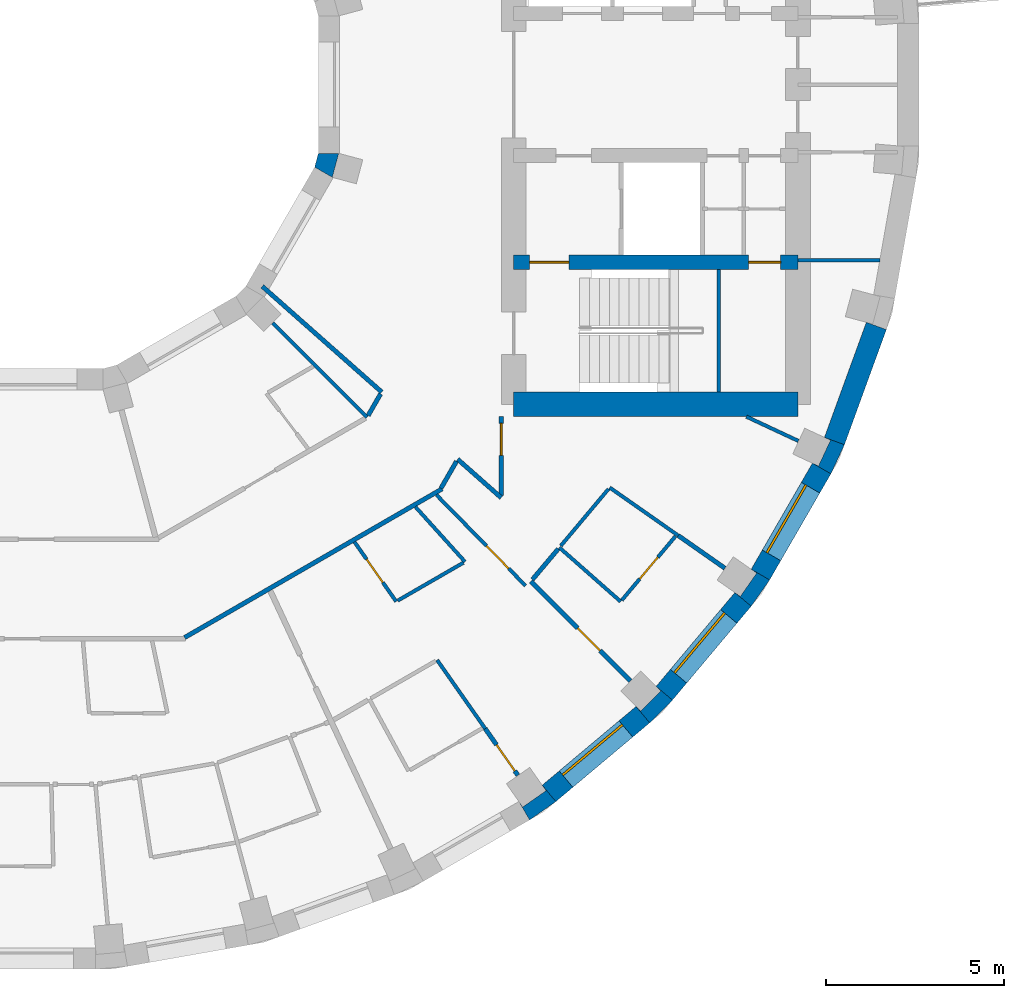
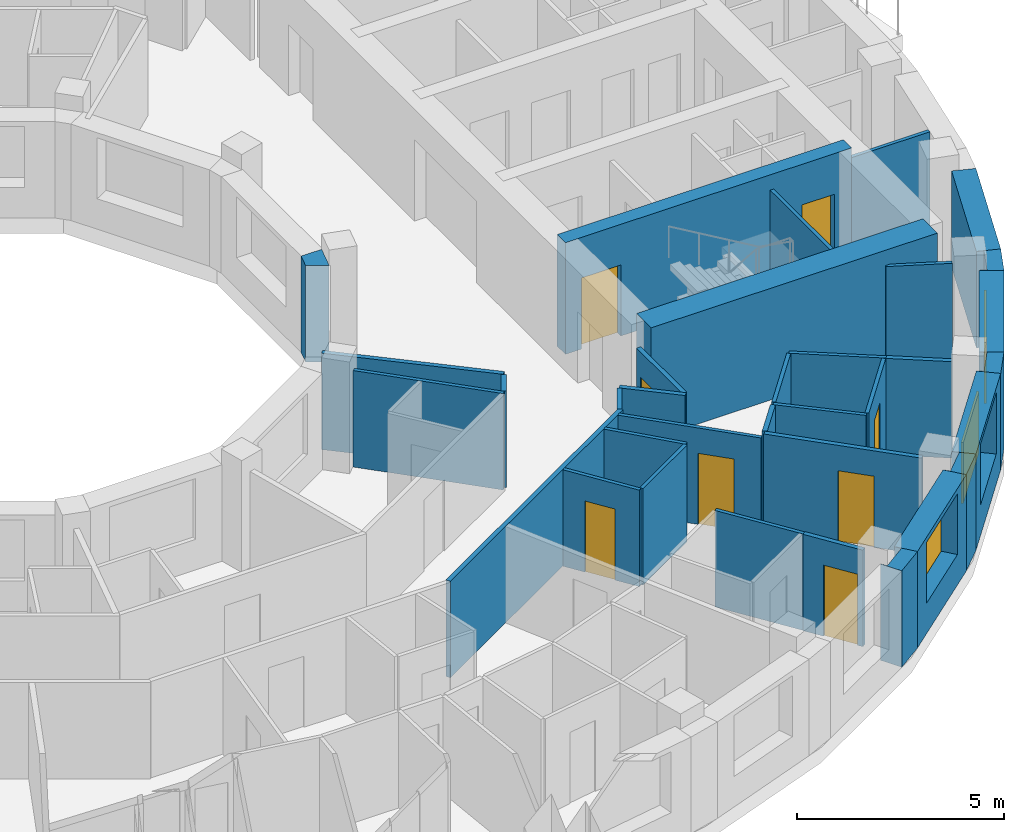
# One storey, part 8 of 15: 34 walls, 8 doors, 3 windows, 11 openings.
"""IFC4 building model written with IfcOpenShell, lengths in metres."""

import ifcopenshell
import ifcopenshell.guid

model = None  # the IFC model being written
_history = None  # IfcOwnerHistory: only IFC2X3 demands one
_inside = {}  # id of a spatial element -> (the spatial element, [elements in it])
_under = {}  # id of a project, library or spatial element -> (it, [spatial elements below it])
_declared = {}  # id of a project -> (the project, [libraries it declares])
_typed = {}  # id of a type object -> (the type object, [elements of that type])
_made_of = {}  # id of a material, layer set ... -> (it, [elements and type objects made of it])


def new_model(schema):
    """Start an empty IFC model of exactly this schema.

    Asked for "IFC4X3", IfcOpenShell would pick the latest addendum, in which some entities
    have other attributes; the version numbers below select the first issue.
    IFC2X3 requires an IfcOwnerHistory on every rooted entity: one is made here for all.
    """
    global model, _history
    if schema == "IFC4X3":
        model = ifcopenshell.file(schema_version=(4, 3, 0, 0))
    else:
        model = ifcopenshell.file(schema=schema)
    _inside.clear()
    _under.clear()
    _declared.clear()
    _typed.clear()
    _made_of.clear()
    _history = None
    if model.schema == "IFC2X3":
        org = make("IfcOrganization", Name="unknown")
        user = make(
            "IfcPersonAndOrganization",
            ThePerson=make("IfcPerson", FamilyName="unknown"),
            TheOrganization=org,
        )
        app = make(
            "IfcApplication",
            ApplicationDeveloper=org,
            Version="unknown",
            ApplicationFullName="unknown",
            ApplicationIdentifier="unknown",
        )
        _history = make(
            "IfcOwnerHistory",
            OwningUser=user,
            OwningApplication=app,
            ChangeAction="ADDED",
            CreationDate=0,
        )
    return model


def make(cls, **values):
    """One entity of the class cls with the attributes given. An attribute that is None is left unset."""
    return model.create_entity(
        cls, **{name: value for name, value in values.items() if value is not None}
    )


def rooted(cls, **values):
    """An entity with a GlobalId (a new one), such as an element, a storey or a relation."""
    return make(cls, GlobalId=ifcopenshell.guid.new(), OwnerHistory=_history, **values)


def si_unit(unit_type, name, prefix=None):
    """IfcSIUnit, for example si_unit("LENGTHUNIT", "METRE", prefix="MILLI")."""
    return make("IfcSIUnit", UnitType=unit_type, Prefix=prefix, Name=name)


def assignment(units):
    """IfcUnitAssignment: the units of a project."""
    return None if units is None else make("IfcUnitAssignment", Units=units)


def point(xyz):
    """IfcCartesianPoint."""
    return None if xyz is None else make("IfcCartesianPoint", Coordinates=xyz)


def direction(xyz):
    """IfcDirection."""
    return None if xyz is None else make("IfcDirection", DirectionRatios=xyz)


def frame(location, z_axis=None, x_axis=None):
    """IfcAxis2Placement3D, a coordinate frame: its origin and axes. An axis left out is left unset."""
    return make(
        "IfcAxis2Placement3D",
        Location=point(location),
        Axis=direction(z_axis),
        RefDirection=direction(x_axis),
    )


def frame_2d(location, x_axis=None):
    """IfcAxis2Placement2D, a coordinate frame in the plane: its origin and x axis."""
    return make(
        "IfcAxis2Placement2D", Location=point(location), RefDirection=direction(x_axis)
    )


def origin():
    """The frame at (0, 0, 0) with its axes left unset."""
    return frame((0.0, 0.0, 0.0))


def place(relative_to, where):
    """IfcLocalPlacement: puts the frame where relative to a parent placement (None: the world)."""
    return make(
        "IfcLocalPlacement", PlacementRelTo=relative_to, RelativePlacement=where
    )


def context(
    kind, dimensions, precision=None, world=None, true_north=None, identifier=None
):
    """IfcGeometricRepresentationContext, for example the 3D "Model" context."""
    return make(
        "IfcGeometricRepresentationContext",
        ContextIdentifier=identifier,
        ContextType=kind,
        CoordinateSpaceDimension=dimensions,
        Precision=precision,
        WorldCoordinateSystem=world,
        TrueNorth=true_north,
    )


def subcontext(parent, identifier, kind, view, scale=None):
    """IfcGeometricRepresentationSubContext, for example "Body" below "Model"."""
    return make(
        "IfcGeometricRepresentationSubContext",
        ContextIdentifier=identifier,
        ContextType=kind,
        ParentContext=parent,
        TargetScale=scale,
        TargetView=view,
    )


def project(units=None, contexts=None):
    """IfcProject with its units and contexts."""
    return rooted(
        "IfcProject",
        Name="project",
        RepresentationContexts=contexts,
        UnitsInContext=assignment(units),
    )


def spatial(cls, under=None, at=None, **own):
    """A site, building, storey or space (cls), placed at a placement, below another one or the project."""
    s = rooted(cls, ObjectPlacement=at, **own)
    if under is not None:
        _under.setdefault(under.id(), (under, []))[1].append(s)
    return s


def polyline(points):
    """IfcPolyline through the points."""
    return make("IfcPolyline", Points=[point(p) for p in points])


def profile(cls, at=None, kind="AREA", **sizes):
    """A parametric profile (cls). Its sizes go by their IFC names, for example OverallWidth=200.0."""
    return make(cls, ProfileType=kind, Position=at, **sizes)


def rectangle(**sizes):
    """IfcRectangleProfileDef."""
    return profile("IfcRectangleProfileDef", **sizes)


def outline(outer, holes=None, kind="AREA"):
    """IfcArbitraryClosedProfileDef: a profile drawn as a closed curve; with holes, ...WithVoids."""
    if holes is None:
        return make("IfcArbitraryClosedProfileDef", ProfileType=kind, OuterCurve=outer)
    return make(
        "IfcArbitraryProfileDefWithVoids",
        ProfileType=kind,
        OuterCurve=outer,
        InnerCurves=holes,
    )


def extrude(swept, where, along, depth):
    """IfcExtrudedAreaSolid: the profile swept, set in the frame where, extruded along a direction by depth."""
    return make(
        "IfcExtrudedAreaSolid",
        SweptArea=swept,
        Position=where,
        ExtrudedDirection=direction(along),
        Depth=depth,
    )


def shape(context_of_items, identifier, shape_type, items):
    """IfcShapeRepresentation: the items that make up one representation, for example the "Body"."""
    return make(
        "IfcShapeRepresentation",
        ContextOfItems=context_of_items,
        RepresentationIdentifier=identifier,
        RepresentationType=shape_type,
        Items=items,
    )


def material(Name=None, Category=None):
    """IfcMaterial."""
    return make("IfcMaterial", Name=Name, Category=Category)


def layer(
    of_material, thickness, ventilated=None, Name=None, Category=None, Priority=None
):
    """IfcMaterialLayer: one layer of a wall or slab, of a material (None: an air gap)."""
    return make(
        "IfcMaterialLayer",
        Material=of_material,
        LayerThickness=thickness,
        IsVentilated=ventilated,
        Name=Name,
        Category=Category,
        Priority=Priority,
    )


def layer_set(layers, Name=None):
    """IfcMaterialLayerSet."""
    return make("IfcMaterialLayerSet", MaterialLayers=layers, LayerSetName=Name)


def made_of(thing, what):
    """Note that an element or type object is made of a material, layer set ...; save() writes the relation."""
    if what is not None:
        _made_of.setdefault(what.id(), (what, []))[1].append(thing)
    return thing


def type_object(cls, material=None, **own):
    """A type object (cls), such as IfcWallType, which elements share."""
    return made_of(rooted(cls, **own), material)


def element(
    cls,
    number,
    at=None,
    inside=None,
    cuts=None,
    type_object=None,
    material=None,
    context=None,
    identifier="Body",
    shape_type=None,
    held_by="IfcProductDefinitionShape",
    body=None,
    shapes=None,
    **own,
):
    """One element of the class cls, such as IfcWall. Its Tag is "e" and its number.

    at: its placement. inside: the storey or other place that contains it. cuts: it is an
    opening in that element (IfcRelVoidsElement). A single representation is given by context,
    identifier, shape_type and body (its items); several are given by shapes. held_by: the class
    of the entity that holds the representations. save() writes the other relations.
    """
    e = rooted(cls, Tag="e%d" % number, ObjectPlacement=at, **own)
    if body is not None:
        shapes = [shape(context, identifier, shape_type, body)]
    if shapes is not None:
        e.Representation = make(held_by, Representations=shapes)
    if inside is not None:
        _inside.setdefault(inside.id(), (inside, []))[1].append(e)
    if cuts is not None:
        rooted(
            "IfcRelVoidsElement", RelatingBuildingElement=cuts, RelatedOpeningElement=e
        )
    if type_object is not None:
        _typed.setdefault(type_object.id(), (type_object, []))[1].append(e)
    return made_of(e, material)


def fill(opening, filler):
    """IfcRelFillsElement: the door or window that sits in an opening."""
    return rooted(
        "IfcRelFillsElement",
        RelatingOpeningElement=opening,
        RelatedBuildingElement=filler,
    )


def aggregate(whole, parts):
    """IfcRelAggregates: a whole, such as a stair, and the parts it consists of."""
    return rooted("IfcRelAggregates", RelatingObject=whole, RelatedObjects=parts)


def save(model, path):
    """Write the relations noted so far, then the file.

    IfcRelAggregates (storeys below a building ...), IfcRelContainedInSpatialStructure (elements
    in a storey), IfcRelDefinesByType, IfcRelAssociatesMaterial and IfcRelDeclares: one each for
    every whole, place, type object, material and project.
    """
    for whole, parts in _under.values():
        aggregate(whole, parts)
    for where, things in _inside.values():
        rooted(
            "IfcRelContainedInSpatialStructure",
            RelatedElements=things,
            RelatingStructure=where,
        )
    for kind, things in _typed.values():
        rooted("IfcRelDefinesByType", RelatedObjects=things, RelatingType=kind)
    for what, things in _made_of.values():
        rooted("IfcRelAssociatesMaterial", RelatedObjects=things, RelatingMaterial=what)
    for by, libraries in _declared.values():
        rooted("IfcRelDeclares", RelatingContext=by, RelatedDefinitions=libraries)
    model.write(path)


model = new_model("IFC4")

# Units and contexts
model_context = context("Model", 3, precision=1e-05, world=origin(), true_north=direction((0.0, 1.0)))
body_context = subcontext(model_context, "Body", "Model", "MODEL_VIEW")
ifc_project = project(units=[si_unit("LENGTHUNIT", "METRE"), si_unit("AREAUNIT", "SQUARE_METRE"), si_unit("VOLUMEUNIT", "CUBIC_METRE"), si_unit("PLANEANGLEUNIT", "RADIAN"), si_unit("MASSUNIT", "GRAM", prefix="KILO")], contexts=[model_context])

# Site, building, storey
site_placement = place(None, origin())
site = spatial("IfcSite", under=ifc_project, at=site_placement, CompositionType="ELEMENT")
building_placement = place(site_placement, origin())
building = spatial("IfcBuilding", under=site, at=building_placement, Name="Saqina Gate Tower", CompositionType="ELEMENT")
storey_placement = place(building_placement, frame((0.0, 0.0, 197.10009765625)))
storey = spatial("IfcBuildingStorey", under=building, at=storey_placement, Name="L56", CompositionType="ELEMENT", Elevation=197.10009765625)

# Walls
ifc_material_1 = material(Name="Brick masonry (buff)", Category="masonry")
wall_type_1 = type_object("IfcWallType", Name="BRICK PIER COPING BUFF", PredefinedType="SOLIDWALL", material=ifc_material_1)
wall_1_placement = place(storey_placement, origin())
element("IfcWall", 1, at=wall_1_placement, inside=storey, type_object=wall_type_1, Name="Pier cap L56 column 31", PredefinedType="SOLIDWALL", context=body_context, shape_type="SweptSolid", body=[
    extrude(outline(polyline([(13.9462890625, -20.705810546875), (14.687255859375, -20.18701171875), (14.301513671875, -19.727294921875), (14.408935546875, -19.880859375), (13.753662109375, -20.339599609375), (13.646240234375, -20.186279296875), (13.9462890625, -20.705810546875)])), origin(), (0.0, 0.0, 1.0), 2.849853515625),
])
wall_2_placement = place(storey_placement, origin())
element("IfcWall", 2, at=wall_2_placement, inside=storey, type_object=wall_type_1, Name="Pier cap L56 column 32", PredefinedType="SOLIDWALL", context=body_context, shape_type="SweptSolid", body=[
    extrude(outline(polyline([(17.969482421875, -17.329833984375), (17.510009765625, -16.944091796875), (17.642333984375, -17.07666015625), (17.07666015625, -17.642333984375), (16.944091796875, -17.510009765625), (17.329833984375, -17.969482421875), (17.969482421875, -17.329833984375)])), origin(), (0.0, 0.0, 1.0), 2.849853515625),
])
wall_3_placement = place(storey_placement, origin())
element("IfcWall", 3, at=wall_3_placement, inside=storey, type_object=wall_type_1, Name="Pier cap L56 column 33", PredefinedType="SOLIDWALL", context=body_context, shape_type="SweptSolid", body=[
    extrude(outline(polyline([(20.18701171875, -14.687255859375), (20.705810546875, -13.9462890625), (20.186279296875, -13.646240234375), (20.339599609375, -13.753662109375), (19.880859375, -14.408935546875), (19.727294921875, -14.301513671875), (20.18701171875, -14.687255859375)])), origin(), (0.0, 0.0, 1.0), 2.849853515625),
])
wall_4_placement = place(storey_placement, origin())
element("IfcWall", 4, at=wall_4_placement, inside=storey, type_object=wall_type_1, Name="Pier cap L56 column 34", PredefinedType="SOLIDWALL", context=body_context, shape_type="SweptSolid", body=[
    extrude(outline(polyline([(22.81298828125, -10.138916015625), (22.249267578125, -9.93359375), (22.4189453125, -10.0126953125), (22.080810546875, -10.73779296875), (21.9111328125, -10.65869140625), (22.4306640625, -10.958740234375), (22.81298828125, -10.138916015625)])), origin(), (0.0, 0.0, 1.0), 2.849853515625),
])
ifc_material_2 = material(Name="Gypsum board on steel studs", Category="steel")
ifc_layer_1 = layer(ifc_material_2, 0.10009765625)
ifc_layer_set_1 = layer_set([ifc_layer_1], Name="CORE PARTITION")
wall_type_2 = type_object("IfcWallType", Name="CORE PARTITION", PredefinedType="PARTITIONING", material=ifc_layer_set_1)
wall_5_placement = place(storey_placement, frame((21.5, -4.949951171875, 0.0), z_axis=(0.0, 0.0, 1.0), x_axis=(1.0, 0.0, 0.0)))
element("IfcWall", 5, at=wall_5_placement, inside=storey, type_object=wall_type_2, Name="L56-CP-E03", PredefinedType="PARTITIONING", context=body_context, shape_type="SweptSolid", body=[
    extrude(rectangle(XDim=2.306884765625, YDim=0.10009765625, at=frame_2d((1.1533203125, 0.0))), origin(), (0.0, 0.0, 1.0), 2.849853515625),
])

# Wall, opening, window
ifc_material_3 = material(Name="Brick masonry (buff)", Category="masonry")
ifc_layer_2 = layer(ifc_material_3, 0.60009765625)
ifc_layer_set_2 = layer_set([ifc_layer_2], Name="FW-BRICK-BUFF")
wall_type_3 = type_object("IfcWallType", Name="FW-BRICK-BUFF", PredefinedType="SOLIDWALL", material=ifc_layer_set_2)
wall_6_placement = place(storey_placement, frame((14.494384765625, -19.95703125, 0.0), z_axis=(0.0, 0.0, 1.0), x_axis=(0.766058884809, 0.642770398358, 0.0)))
wall_6 = element("IfcWall", 6, at=wall_6_placement, inside=storey, type_object=wall_type_3, Name="Facade wall L56 facet 31", PredefinedType="SOLIDWALL", context=body_context, shape_type="SweptSolid", body=[
    extrude(rectangle(XDim=3.449462890625, YDim=0.60009765625, at=frame_2d((1.724609375, 0.0))), origin(), (0.0, 0.0, 1.0), 2.849853515625),
])
opening_1_placement = place(wall_6_placement, frame((0.625, 0.0, 0.89990234375)))
opening_1 = element("IfcOpeningElement", 7, at=opening_1_placement, cuts=wall_6, Name="Opening G16-W20", PredefinedType="OPENING", context=body_context, shape_type="SweptSolid", body=[
    extrude(rectangle(XDim=2.199951171875, YDim=1.800048828125, at=frame_2d((1.10009765625, 0.89990234375))), frame((0.0, 0.31201171875, 0.0), z_axis=(0.0, -1.0, 0.0), x_axis=(1.0, 0.0, 0.0)), (0.0, 0.0, 1.0), 0.6240234375),
])
ifc_material_4 = material(Name="Aluminium glazing", Category="aluminium")
window_type = type_object("IfcWindowType", Name="WN-C", PartitioningType="SINGLE_PANEL", PredefinedType="WINDOW", material=ifc_material_4)
window_1_placement = place(opening_1_placement, origin())
window_1 = element("IfcWindow", 8, at=window_1_placement, inside=storey, type_object=window_type, Name="Window L56 facet 31", OverallHeight=1.800048828125, OverallWidth=2.199951171875, PartitioningType="SINGLE_PANEL", PredefinedType="WINDOW", context=body_context, shape_type="SweptSolid", body=[
    extrude(rectangle(XDim=2.199951171875, YDim=1.800048828125, at=frame_2d((1.10009765625, 0.89990234375))), frame((0.0, 0.179931640625, 0.0), z_axis=(0.0, -1.0, 0.0), x_axis=(1.0, 0.0, 0.0)), (0.0, 0.0, 1.0), 0.06005859375),
])
fill(opening_1, window_1)

wall_7_placement = place(storey_placement, frame((17.73974609375, -17.136962890625, 0.0), z_axis=(0.0, 0.0, 1.0), x_axis=(0.642770398358, 0.766058884809, 0.0)))
wall_7 = element("IfcWall", 9, at=wall_7_placement, inside=storey, type_object=wall_type_3, Name="Facade wall L56 facet 32", PredefinedType="SOLIDWALL", context=body_context, shape_type="SweptSolid", body=[
    extrude(rectangle(XDim=3.449462890625, YDim=0.60009765625, at=frame_2d((1.724609375, 0.0))), origin(), (0.0, 0.0, 1.0), 2.849853515625),
])
opening_2_placement = place(wall_7_placement, frame((0.625, 0.0, 0.89990234375)))
opening_2 = element("IfcOpeningElement", 10, at=opening_2_placement, cuts=wall_7, Name="Opening G16-W21", PredefinedType="OPENING", context=body_context, shape_type="SweptSolid", body=[
    extrude(rectangle(XDim=2.199951171875, YDim=1.800048828125, at=frame_2d((1.10009765625, 0.89990234375))), frame((0.0, 0.31201171875, 0.0), z_axis=(0.0, -1.0, 0.0), x_axis=(1.0, 0.0, 0.0)), (0.0, 0.0, 1.0), 0.6240234375),
])
window_2_placement = place(opening_2_placement, origin())
window_2 = element("IfcWindow", 11, at=window_2_placement, inside=storey, type_object=window_type, Name="Window L56 facet 32", OverallHeight=1.800048828125, OverallWidth=2.199951171875, PartitioningType="SINGLE_PANEL", PredefinedType="WINDOW", context=body_context, shape_type="SweptSolid", body=[
    extrude(rectangle(XDim=2.199951171875, YDim=1.800048828125, at=frame_2d((1.10009765625, 0.89990234375))), frame((0.0, 0.179931640625, 0.0), z_axis=(0.0, -1.0, 0.0), x_axis=(1.0, 0.0, 0.0)), (0.0, 0.0, 1.0), 0.06005859375),
])
fill(opening_2, window_2)

wall_8_placement = place(storey_placement, frame((20.446044921875, -13.796142578125, 0.0), z_axis=(0.0, 0.0, 1.0), x_axis=(0.499998129301, 0.86602648383, 0.0)))
wall_8 = element("IfcWall", 12, at=wall_8_placement, inside=storey, type_object=wall_type_3, Name="Facade wall L56 facet 33", PredefinedType="SOLIDWALL", context=body_context, shape_type="SweptSolid", body=[
    extrude(rectangle(XDim=3.44970703125, YDim=0.60009765625, at=frame_2d((1.724853515625, 0.0))), origin(), (0.0, 0.0, 1.0), 2.849853515625),
])
opening_3_placement = place(wall_8_placement, frame((0.625, 0.0, 0.89990234375)))
opening_3 = element("IfcOpeningElement", 13, at=opening_3_placement, cuts=wall_8, Name="Opening G16-W22", PredefinedType="OPENING", context=body_context, shape_type="SweptSolid", body=[
    extrude(rectangle(XDim=2.199951171875, YDim=1.800048828125, at=frame_2d((1.10009765625, 0.89990234375))), frame((0.0, 0.31201171875, 0.0), z_axis=(0.0, -1.0, 0.0), x_axis=(1.0, 0.0, 0.0)), (0.0, 0.0, 1.0), 0.6240234375),
])
window_3_placement = place(opening_3_placement, origin())
window_3 = element("IfcWindow", 14, at=window_3_placement, inside=storey, type_object=window_type, Name="Window L56 facet 33", OverallHeight=1.800048828125, OverallWidth=2.199951171875, PartitioningType="SINGLE_PANEL", PredefinedType="WINDOW", context=body_context, shape_type="SweptSolid", body=[
    extrude(rectangle(XDim=2.199951171875, YDim=1.800048828125, at=frame_2d((1.10009765625, 0.89990234375))), frame((0.0, 0.179931640625, 0.0), z_axis=(0.0, -1.0, 0.0), x_axis=(1.0, 0.0, 0.0)), (0.0, 0.0, 1.0), 0.06005859375),
])
fill(opening_3, window_3)

# Walls
ifc_material_5 = material(Name="Glazed ceramic tile (dark blue)", Category="ceramic")
ifc_layer_3 = layer(ifc_material_5, 0.60009765625)
ifc_layer_set_3 = layer_set([ifc_layer_3], Name="FW-TILE-CB")
wall_type_4 = type_object("IfcWallType", Name="FW-TILE-CB", PredefinedType="SOLIDWALL", material=ifc_layer_set_3)
wall_9_placement = place(storey_placement, frame((22.531005859375, -10.0361328125, 0.0), z_axis=(0.0, 0.0, 1.0), x_axis=(0.342032843455, 0.93968799822, 0.0)))
element("IfcWall", 15, at=wall_9_placement, inside=storey, type_object=wall_type_4, Name="Facade wall L56 facet 34", PredefinedType="SOLIDWALL", context=body_context, shape_type="SweptSolid", body=[
    extrude(rectangle(XDim=3.44970703125, YDim=0.60009765625, at=frame_2d((1.724853515625, 0.0))), origin(), (0.0, 0.0, 1.0), 2.849853515625),
])
ifc_material_6 = material(Name="Gypsum board on steel studs, 100 mm", Category="steel")
ifc_layer_4 = layer(ifc_material_6, 0.10009765625)
ifc_layer_set_4 = layer_set([ifc_layer_4], Name="PARTITION 100")
wall_type_5 = type_object("IfcWallType", Name="PARTITION 100", PredefinedType="PARTITIONING", material=ifc_layer_set_4)
wall_10_placement = place(storey_placement, frame((11.344970703125, -16.202880859375, 0.0), z_axis=(0.0, 0.0, 1.0), x_axis=(0.573823443789, -0.818979032307, 0.0)))
element("IfcWall", 16, at=wall_10_placement, inside=storey, type_object=wall_type_5, Name="PARTITION PW3-17", PredefinedType="PARTITIONING", context=body_context, shape_type="SweptSolid", body=[
    extrude(rectangle(XDim=2.359130859375, YDim=0.10009765625, at=frame_2d((1.1796875, 0.0))), origin(), (0.0, 0.0, 1.0), 2.849853515625),
])

# Wall, opening, door
wall_11_placement = place(storey_placement, frame((9.018798828125, -12.8798828125, 0.0), z_axis=(0.0, 0.0, 1.0), x_axis=(0.573550536535, -0.819170178925, 0.0)))
wall_11 = element("IfcWall", 17, at=wall_11_placement, inside=storey, type_object=wall_type_5, Name="PARTITION PW3-19", PredefinedType="PARTITIONING", context=body_context, shape_type="SweptSolid", body=[
    extrude(rectangle(XDim=2.043701171875, YDim=0.10009765625, at=frame_2d((1.02197265625, 0.0))), origin(), (0.0, 0.0, 1.0), 2.849853515625),
])
opening_4_placement = place(wall_11_placement, frame((0.589599609375, 0.0, 0.0)))
opening_4 = element("IfcOpeningElement", 18, at=opening_4_placement, cuts=wall_11, Name="Opening G16-D56", PredefinedType="OPENING", context=body_context, shape_type="SweptSolid", body=[
    extrude(rectangle(XDim=0.800048828125, YDim=2.10009765625, at=frame_2d((0.39990234375, 1.050048828125))), frame((0.0, 0.06201171875, 0.0), z_axis=(0.0, -1.0, 0.0), x_axis=(1.0, 0.0, 0.0)), (0.0, 0.0, 1.0), 0.1240234375),
])
ifc_material_7 = material(Name="Timber door leaf, 800 mm", Category="wood")
door_type_1 = type_object("IfcDoorType", Name="DOOR 800 TIMBER", OperationType="SINGLE_SWING_LEFT", PredefinedType="DOOR", material=ifc_material_7)
door_1_placement = place(opening_4_placement, frame((0.800048828125, 0.0, 0.0), z_axis=(0.0, 0.0, 1.0), x_axis=(-1.0, 0.0, 0.0)))
door_1 = element("IfcDoor", 19, at=door_1_placement, inside=storey, type_object=door_type_1, Name="DOOR G16-D56", OperationType="SINGLE_SWING_RIGHT", OverallHeight=2.10009765625, OverallWidth=0.800048828125, PredefinedType="DOOR", context=body_context, shape_type="SweptSolid", body=[
    extrude(rectangle(XDim=0.800048828125, YDim=2.10009765625, at=frame_2d((0.39990234375, 1.050048828125))), frame((0.0, 0.02490234375, 0.0), z_axis=(0.0, -1.0, 0.0), x_axis=(1.0, 0.0, 0.0)), (0.0, 0.0, 1.0), 0.050048828125),
])
fill(opening_4, door_1)

# Wall
wall_12_placement = place(storey_placement, frame((10.732177734375, -11.8876953125, 0.0), z_axis=(0.0, 0.0, 1.0), x_axis=(0.670051109138, -0.742314967613, 0.0)))
element("IfcWall", 20, at=wall_12_placement, inside=storey, type_object=wall_type_5, Name="PARTITION PW3-25", PredefinedType="PARTITIONING", context=body_context, shape_type="SweptSolid", body=[
    extrude(rectangle(XDim=2.08447265625, YDim=0.10009765625, at=frame_2d((1.042236328125, 0.0))), origin(), (0.0, 0.0, 1.0), 2.849853515625),
])

# Wall, opening, door
wall_13_placement = place(storey_placement, frame((11.320556640625, -11.54736328125, 0.0), z_axis=(0.0, 0.0, 1.0), x_axis=(0.700209333058, -0.713937595241, 0.0)))
wall_13 = element("IfcWall", 21, at=wall_13_placement, inside=storey, type_object=wall_type_5, Name="PARTITION PW3-26", PredefinedType="PARTITIONING", context=body_context, shape_type="SweptSolid", body=[
    extrude(rectangle(XDim=3.59228515625, YDim=0.10009765625, at=frame_2d((1.796142578125, 0.0))), origin(), (0.0, 0.0, 1.0), 2.849853515625),
])
opening_5_placement = place(wall_13_placement, frame((2.01416015625, 0.0, 0.0)))
opening_5 = element("IfcOpeningElement", 22, at=opening_5_placement, cuts=wall_13, Name="Opening G16-D59", PredefinedType="OPENING", context=body_context, shape_type="SweptSolid", body=[
    extrude(rectangle(XDim=0.89990234375, YDim=2.10009765625, at=frame_2d((0.449951171875, 1.050048828125))), frame((0.0, 0.06201171875, 0.0), z_axis=(0.0, -1.0, 0.0), x_axis=(1.0, 0.0, 0.0)), (0.0, 0.0, 1.0), 0.1240234375),
])
ifc_material_8 = material(Name="Timber door leaf, 900 mm", Category="wood")
door_type_2 = type_object("IfcDoorType", Name="DOOR 900 TIMBER", OperationType="SINGLE_SWING_LEFT", PredefinedType="DOOR", material=ifc_material_8)
door_2_placement = place(opening_5_placement, frame((0.89990234375, 0.0, 0.0), z_axis=(0.0, 0.0, 1.0), x_axis=(-1.0, 0.0, 0.0)))
door_2 = element("IfcDoor", 23, at=door_2_placement, inside=storey, type_object=door_type_2, Name="DOOR G16-D59", OperationType="SINGLE_SWING_RIGHT", OverallHeight=2.10009765625, OverallWidth=0.89990234375, PredefinedType="DOOR", context=body_context, shape_type="SweptSolid", body=[
    extrude(rectangle(XDim=0.89990234375, YDim=2.10009765625, at=frame_2d((0.449951171875, 1.050048828125))), frame((0.0, 0.02490234375, 0.0), z_axis=(0.0, -1.0, 0.0), x_axis=(1.0, 0.0, 0.0)), (0.0, 0.0, 1.0), 0.050048828125),
])
fill(opening_5, door_2)

# Walls
wall_14_placement = place(storey_placement, frame((6.7119140625, -6.7119140625, 0.0), z_axis=(0.0, 0.0, 1.0), x_axis=(0.707106781187, -0.707106781187, 0.0)))
element("IfcWall", 24, at=wall_14_placement, inside=storey, type_object=wall_type_5, Name="PARTITION PW3-28", PredefinedType="PARTITIONING", context=body_context, shape_type="SweptSolid", body=[
    extrude(rectangle(XDim=3.75927734375, YDim=0.10009765625, at=frame_2d((1.879638671875, 0.0))), origin(), (0.0, 0.0, 1.0), 2.849853515625),
])
wall_15_placement = place(storey_placement, frame((14.785888671875, -13.033935546875, 0.0), z_axis=(0.0, 0.0, 1.0), x_axis=(0.750060726962, -0.661368963491, 0.0)))
element("IfcWall", 25, at=wall_15_placement, inside=storey, type_object=wall_type_5, Name="PARTITION PW3-30", PredefinedType="PARTITIONING", context=body_context, shape_type="SweptSolid", body=[
    extrude(rectangle(XDim=2.30126953125, YDim=0.10009765625, at=frame_2d((1.150634765625, 0.0))), origin(), (0.0, 0.0, 1.0), 2.849853515625),
])
wall_16_placement = place(storey_placement, frame((16.202392578125, -11.345703125, 0.0), z_axis=(0.0, 0.0, 1.0), x_axis=(0.81919302467, -0.573517905851, 0.0)))
element("IfcWall", 26, at=wall_16_placement, inside=storey, type_object=wall_type_5, Name="PARTITION PW3-36", PredefinedType="PARTITIONING", context=body_context, shape_type="SweptSolid", body=[
    extrude(rectangle(XDim=2.359130859375, YDim=0.10009765625, at=frame_2d((1.1796875, 0.0))), origin(), (0.0, 0.0, 1.0), 2.849853515625),
])
wall_17_placement = place(storey_placement, frame((20.052978515625, -9.35009765625, 0.0), z_axis=(0.0, 0.0, 1.0), x_axis=(0.906055596822, -0.423158664648, 0.0)))
element("IfcWall", 27, at=wall_17_placement, inside=storey, type_object=wall_type_5, Name="PARTITION PW3-42", PredefinedType="PARTITIONING", context=body_context, shape_type="SweptSolid", body=[
    extrude(rectangle(XDim=1.6142578125, YDim=0.10009765625, at=frame_2d((0.80712890625, 0.0))), origin(), (0.0, 0.0, 1.0), 2.849853515625),
])
wall_18_placement = place(storey_placement, frame((10.236083984375, -14.528076171875, 0.0), z_axis=(0.0, 0.0, 1.0), x_axis=(0.865995020583, 0.500052621557, 0.0)))
element("IfcWall", 28, at=wall_18_placement, inside=storey, type_object=wall_type_5, Name="PARTITION PW3-69", PredefinedType="PARTITIONING", context=body_context, shape_type="SweptSolid", body=[
    extrude(rectangle(XDim=2.133544921875, YDim=0.10009765625, at=frame_2d((1.06689453125, 0.0))), origin(), (0.0, 0.0, 1.0), 2.849853515625),
])

# Wall, opening, door
wall_19_placement = place(storey_placement, frame((16.544189453125, -14.517578125, 0.0), z_axis=(0.0, 0.0, 1.0), x_axis=(0.642675237257, 0.76613872074, 0.0)))
wall_19 = element("IfcWall", 29, at=wall_19_placement, inside=storey, type_object=wall_type_5, Name="PARTITION PW3-81", PredefinedType="PARTITIONING", context=body_context, shape_type="SweptSolid", body=[
    extrude(rectangle(XDim=2.34912109375, YDim=0.10009765625, at=frame_2d((1.174560546875, 0.0))), origin(), (0.0, 0.0, 1.0), 2.849853515625),
])
opening_6_placement = place(wall_19_placement, frame((0.78076171875, 0.0, 0.0)))
opening_6 = element("IfcOpeningElement", 30, at=opening_6_placement, cuts=wall_19, Name="Opening G16-D61", PredefinedType="OPENING", context=body_context, shape_type="SweptSolid", body=[
    extrude(rectangle(XDim=0.800048828125, YDim=2.10009765625, at=frame_2d((0.39990234375, 1.050048828125))), frame((0.0, 0.06201171875, 0.0), z_axis=(0.0, -1.0, 0.0), x_axis=(1.0, 0.0, 0.0)), (0.0, 0.0, 1.0), 0.1240234375),
])
door_3_placement = place(opening_6_placement, frame((0.800048828125, 0.0, 0.0), z_axis=(0.0, 0.0, 1.0), x_axis=(-1.0, 0.0, 0.0)))
door_3 = element("IfcDoor", 31, at=door_3_placement, inside=storey, type_object=door_type_1, Name="DOOR G16-D61", OperationType="SINGLE_SWING_LEFT", OverallHeight=2.10009765625, OverallWidth=0.800048828125, PredefinedType="DOOR", context=body_context, shape_type="SweptSolid", body=[
    extrude(rectangle(XDim=0.800048828125, YDim=2.10009765625, at=frame_2d((0.39990234375, 1.050048828125))), frame((0.0, 0.02490234375, 0.0), z_axis=(0.0, -1.0, 0.0), x_axis=(1.0, 0.0, 0.0)), (0.0, 0.0, 1.0), 0.050048828125),
])
fill(opening_6, door_3)

# Wall
wall_20_placement = place(storey_placement, frame((14.826171875, -12.986083984375, 0.0), z_axis=(0.0, 0.0, 1.0), x_axis=(0.642720670629, 0.766100606674, 0.0)))
element("IfcWall", 32, at=wall_20_placement, inside=storey, type_object=wall_type_5, Name="PARTITION PW3-82", PredefinedType="PARTITIONING", context=body_context, shape_type="SweptSolid", body=[
    extrude(rectangle(XDim=2.089599609375, YDim=0.10009765625, at=frame_2d((1.044921875, 0.0))), origin(), (0.0, 0.0, 1.0), 2.849853515625),
])

# Wall, opening, door
ifc_material_9 = material(Name="Gypsum board on steel studs, 125 mm, fire rated", Category="steel")
ifc_layer_5 = layer(ifc_material_9, 0.125)
ifc_layer_set_5 = layer_set([ifc_layer_5], Name="PARTITION EI 30 125")
wall_type_6 = type_object("IfcWallType", Name="PARTITION EI 30 125", PredefinedType="PARTITIONING", material=ifc_layer_set_5)
wall_21_placement = place(storey_placement, frame((12.69873046875, -18.135009765625, 0.0), z_axis=(0.0, 0.0, 1.0), x_axis=(0.57352374907, -0.819188933795, 0.0)))
wall_21 = element("IfcWall", 33, at=wall_21_placement, inside=storey, type_object=wall_type_6, Name="PARTITION PW1-05", PredefinedType="PARTITIONING", context=body_context, shape_type="SweptSolid", body=[
    extrude(rectangle(XDim=1.60107421875, YDim=0.125, at=frame_2d((0.800537109375, 0.0))), origin(), (0.0, 0.0, 1.0), 2.849853515625),
])
opening_7_placement = place(wall_21_placement, frame((0.552734375, 0.0, 0.0)))
opening_7 = element("IfcOpeningElement", 34, at=opening_7_placement, cuts=wall_21, Name="Opening G16-D57", PredefinedType="OPENING", context=body_context, shape_type="SweptSolid", body=[
    extrude(rectangle(XDim=0.89990234375, YDim=2.10009765625, at=frame_2d((0.449951171875, 1.050048828125))), frame((0.0, 0.074462890625, 0.0), z_axis=(0.0, -1.0, 0.0), x_axis=(1.0, 0.0, 0.0)), (0.0, 0.0, 1.0), 0.14892578125),
])
ifc_material_10 = material(Name="Fire door leaf EI 30, 900 mm")
door_type_3 = type_object("IfcDoorType", Name="DOOR 900 EI 30", OperationType="SINGLE_SWING_LEFT", PredefinedType="DOOR", material=ifc_material_10)
door_4_placement = place(opening_7_placement, origin())
door_4 = element("IfcDoor", 35, at=door_4_placement, inside=storey, type_object=door_type_3, Name="DOOR G16-D57", OperationType="SINGLE_SWING_RIGHT", OverallHeight=2.10009765625, OverallWidth=0.89990234375, PredefinedType="DOOR", context=body_context, shape_type="SweptSolid", body=[
    extrude(rectangle(XDim=0.89990234375, YDim=2.10009765625, at=frame_2d((0.449951171875, 1.050048828125))), frame((0.0, 0.02490234375, 0.0), z_axis=(0.0, -1.0, 0.0), x_axis=(1.0, 0.0, 0.0)), (0.0, 0.0, 1.0), 0.050048828125),
])
fill(opening_7, door_4)

wall_22_placement = place(storey_placement, frame((13.987060546875, -13.987060546875, 0.0), z_axis=(0.0, 0.0, 1.0), x_axis=(0.707106781187, -0.707106781187, 0.0)))
wall_22 = element("IfcWall", 36, at=wall_22_placement, inside=storey, type_object=wall_type_6, Name="PARTITION PW1-06", PredefinedType="PARTITIONING", context=body_context, shape_type="SweptSolid", body=[
    extrude(rectangle(XDim=3.959228515625, YDim=0.125, at=frame_2d((1.9794921875, 0.0))), origin(), (0.0, 0.0, 1.0), 2.849853515625),
])
opening_8_placement = place(wall_22_placement, frame((1.858642578125, 0.0, 0.0)))
opening_8 = element("IfcOpeningElement", 37, at=opening_8_placement, cuts=wall_22, Name="Opening G16-D60", PredefinedType="OPENING", context=body_context, shape_type="SweptSolid", body=[
    extrude(rectangle(XDim=0.89990234375, YDim=2.10009765625, at=frame_2d((0.449951171875, 1.050048828125))), frame((0.0, 0.074462890625, 0.0), z_axis=(0.0, -1.0, 0.0), x_axis=(1.0, 0.0, 0.0)), (0.0, 0.0, 1.0), 0.14892578125),
])
door_5_placement = place(opening_8_placement, frame((0.89990234375, 0.0, 0.0), z_axis=(0.0, 0.0, 1.0), x_axis=(-1.0, 0.0, 0.0)))
door_5 = element("IfcDoor", 38, at=door_5_placement, inside=storey, type_object=door_type_3, Name="DOOR G16-D60", OperationType="SINGLE_SWING_LEFT", OverallHeight=2.10009765625, OverallWidth=0.89990234375, PredefinedType="DOOR", context=body_context, shape_type="SweptSolid", body=[
    extrude(rectangle(XDim=0.89990234375, YDim=2.10009765625, at=frame_2d((0.449951171875, 1.050048828125))), frame((0.0, 0.02490234375, 0.0), z_axis=(0.0, -1.0, 0.0), x_axis=(1.0, 0.0, 0.0)), (0.0, 0.0, 1.0), 0.050048828125),
])
fill(opening_8, door_5)

# Walls
wall_23_placement = place(storey_placement, frame((11.923095703125, -10.549072265625, 0.0), z_axis=(0.0, 0.0, 1.0), x_axis=(0.749253207289, -0.662283648724, 0.0)))
element("IfcWall", 39, at=wall_23_placement, inside=storey, type_object=wall_type_6, Name="PARTITION PW1-07", PredefinedType="PARTITIONING", context=body_context, shape_type="SweptSolid", body=[
    extrude(rectangle(XDim=1.6337890625, YDim=0.125, at=frame_2d((0.81689453125, 0.0))), origin(), (0.0, 0.0, 1.0), 2.849853515625),
])
wall_24_placement = place(storey_placement, frame((6.419921875, -5.679931640625, 0.0), z_axis=(0.0, 0.0, 1.0), x_axis=(0.748958163245, -0.662617287511, 0.0)))
element("IfcWall", 40, at=wall_24_placement, inside=storey, type_object=wall_type_6, Name="PARTITION PW1-10", PredefinedType="PARTITIONING", context=body_context, shape_type="SweptSolid", body=[
    extrude(rectangle(XDim=4.490234375, YDim=0.125, at=frame_2d((2.2451171875, 0.0))), origin(), (0.0, 0.0, 1.0), 2.849853515625),
])
wall_25_placement = place(storey_placement, frame((18.135009765625, -12.69873046875, 0.0), z_axis=(0.0, 0.0, 1.0), x_axis=(0.819188933795, -0.57352374907, 0.0)))
element("IfcWall", 41, at=wall_25_placement, inside=storey, type_object=wall_type_6, Name="PARTITION PW1-12", PredefinedType="PARTITIONING", context=body_context, shape_type="SweptSolid", body=[
    extrude(rectangle(XDim=1.60107421875, YDim=0.125, at=frame_2d((0.800537109375, 0.0))), origin(), (0.0, 0.0, 1.0), 2.849853515625),
])
wall_26_placement = place(storey_placement, frame((4.234130859375, -15.56884765625, 0.0), z_axis=(0.0, 0.0, 1.0), x_axis=(0.866024799292, 0.50000104701, 0.0)))
element("IfcWall", 42, at=wall_26_placement, inside=storey, type_object=wall_type_6, Name="PARTITION PW1-33", PredefinedType="PARTITIONING", context=body_context, shape_type="SweptSolid", body=[
    extrude(rectangle(XDim=8.36962890625, YDim=0.125, at=frame_2d((4.184814453125, 0.0))), origin(), (0.0, 0.0, 1.0), 2.849853515625),
])
wall_27_placement = place(storey_placement, frame((14.026123046875, -13.9365234375, 0.0), z_axis=(0.0, 0.0, 1.0), x_axis=(0.644129091811, 0.764916801412, 0.0)))
element("IfcWall", 43, at=wall_27_placement, inside=storey, type_object=wall_type_6, Name="PARTITION PW1-43", PredefinedType="PARTITIONING", context=body_context, shape_type="SweptSolid", body=[
    extrude(rectangle(XDim=1.1298828125, YDim=0.125, at=frame_2d((0.56494140625, 0.0))), origin(), (0.0, 0.0, 1.0), 2.849853515625),
])
wall_28_placement = place(storey_placement, frame((11.451171875, -11.365966796875, 0.0), z_axis=(0.0, 0.0, 1.0), x_axis=(0.500018690203, 0.866014612722, 0.0)))
element("IfcWall", 44, at=wall_28_placement, inside=storey, type_object=wall_type_6, Name="PARTITION PW1-46", PredefinedType="PARTITIONING", context=body_context, shape_type="SweptSolid", body=[
    extrude(rectangle(XDim=0.8798828125, YDim=0.125, at=frame_2d((0.43994140625, 0.0))), origin(), (0.0, 0.0, 1.0), 2.849853515625),
])
wall_29_placement = place(storey_placement, frame((9.4013671875, -9.31591796875, 0.0), z_axis=(0.0, 0.0, 1.0), x_axis=(0.500074377092, 0.865982457891, 0.0)))
element("IfcWall", 45, at=wall_29_placement, inside=storey, type_object=wall_type_6, Name="PARTITION PW1-47", PredefinedType="PARTITIONING", context=body_context, shape_type="SweptSolid", body=[
    extrude(rectangle(XDim=0.70068359375, YDim=0.125, at=frame_2d((0.350341796875, 0.0))), origin(), (0.0, 0.0, 1.0), 2.849853515625),
])

# Wall, opening, door
wall_30_placement = place(storey_placement, frame((13.14990234375, -11.5673828125, 0.0), z_axis=(0.0, 0.0, 1.0), x_axis=(0.0, 1.0, 0.0)))
wall_30 = element("IfcWall", 46, at=wall_30_placement, inside=storey, type_object=wall_type_6, Name="PARTITION PW1-50", PredefinedType="PARTITIONING", context=body_context, shape_type="SweptSolid", body=[
    extrude(rectangle(XDim=2.21630859375, YDim=0.125, at=frame_2d((1.108154296875, 0.0))), origin(), (0.0, 0.0, 1.0), 2.849853515625),
])
opening_9_placement = place(wall_30_placement, frame((1.126953125, 0.0, 0.0)))
opening_9 = element("IfcOpeningElement", 47, at=opening_9_placement, cuts=wall_30, Name="Opening G16-D62", PredefinedType="OPENING", context=body_context, shape_type="SweptSolid", body=[
    extrude(rectangle(XDim=0.89990234375, YDim=2.10009765625, at=frame_2d((0.449951171875, 1.050048828125))), frame((0.0, 0.074462890625, 0.0), z_axis=(0.0, -1.0, 0.0), x_axis=(1.0, 0.0, 0.0)), (0.0, 0.0, 1.0), 0.14892578125),
])
door_6_placement = place(opening_9_placement, frame((0.89990234375, 0.0, 0.0), z_axis=(0.0, 0.0, 1.0), x_axis=(-1.0, 0.0, 0.0)))
door_6 = element("IfcDoor", 48, at=door_6_placement, inside=storey, type_object=door_type_3, Name="DOOR G16-D62", OperationType="SINGLE_SWING_LEFT", OverallHeight=2.10009765625, OverallWidth=0.89990234375, PredefinedType="DOOR", context=body_context, shape_type="SweptSolid", body=[
    extrude(rectangle(XDim=0.89990234375, YDim=2.10009765625, at=frame_2d((0.449951171875, 1.050048828125))), frame((0.0, 0.02490234375, 0.0), z_axis=(0.0, -1.0, 0.0), x_axis=(1.0, 0.0, 0.0)), (0.0, 0.0, 1.0), 0.050048828125),
])
fill(opening_9, door_6)

# Wall
ifc_material_11 = material(Name="Autoclaved aerated concrete block", Category="concrete")
ifc_layer_6 = layer(ifc_material_11, 0.10009765625)
ifc_layer_set_6 = layer_set([ifc_layer_6], Name="STAIR ENCLOSURE WALL")
wall_type_7 = type_object("IfcWallType", Name="STAIR ENCLOSURE WALL", PredefinedType="PARTITIONING", material=ifc_layer_set_6)
wall_31_placement = place(storey_placement, frame((19.27001953125, -8.64990234375, 0.0), z_axis=(0.0, 0.0, 1.0), x_axis=(0.0, 1.0, 0.0)))
element("IfcWall", 49, at=wall_31_placement, inside=storey, type_object=wall_type_7, Name="L56-CP-E17", PredefinedType="PARTITIONING", context=body_context, shape_type="SweptSolid", body=[
    extrude(rectangle(XDim=3.449951171875, YDim=0.10009765625, at=frame_2d((1.72509765625, 0.0))), origin(), (0.0, 0.0, 1.0), 2.849853515625),
])

# Wall, openings, doors
ifc_material_12 = material(Name="Concrete C60/75", Category="concrete")
ifc_layer_7 = layer(ifc_material_12, 0.39990234375)
ifc_layer_set_7 = layer_set([ifc_layer_7], Name="Concrete C60/75")
wall_type_8 = type_object("IfcWallType", Name="STR-CORE WALL-C-I", PredefinedType="SHEAR", material=ifc_layer_set_7)
wall_32_placement = place(storey_placement, frame((13.5, -5.0, 0.0), z_axis=(0.0, 0.0, 1.0), x_axis=(1.0, 0.0, 0.0)))
wall_32 = element("IfcWall", 50, at=wall_32_placement, inside=storey, type_object=wall_type_8, Name="CORE WALL L56 E-X2", PredefinedType="SHEAR", context=body_context, shape_type="SweptSolid", body=[
    extrude(rectangle(XDim=8.0, YDim=0.39990234375, at=frame_2d((4.0, 0.0))), origin(), (0.0, 0.0, 1.0), 3.2998046875),
])
opening_10_placement = place(wall_32_placement, frame((6.614990234375, 0.0, 0.0)))
opening_10 = element("IfcOpeningElement", 51, at=opening_10_placement, cuts=wall_32, Name="Opening G16-D104", PredefinedType="OPENING", context=body_context, shape_type="SweptSolid", body=[
    extrude(rectangle(XDim=0.89990234375, YDim=2.10009765625, at=frame_2d((0.449951171875, 1.050048828125))), frame((0.0, 0.2119140625, 0.0), z_axis=(0.0, -1.0, 0.0), x_axis=(1.0, 0.0, 0.0)), (0.0, 0.0, 1.0), 0.423828125),
])
opening_11_placement = place(wall_32_placement, frame((0.449951171875, 0.0, 0.0)))
opening_11 = element("IfcOpeningElement", 52, at=opening_11_placement, cuts=wall_32, Name="Opening G16-D105", PredefinedType="OPENING", context=body_context, shape_type="SweptSolid", body=[
    extrude(rectangle(XDim=1.10009765625, YDim=2.10009765625, at=frame_2d((0.550048828125, 1.050048828125))), frame((0.0, 0.2119140625, 0.0), z_axis=(0.0, -1.0, 0.0), x_axis=(1.0, 0.0, 0.0)), (0.0, 0.0, 1.0), 0.423828125),
])
ifc_material_13 = material(Name="Steel", Category="steel")
door_type_4 = type_object("IfcDoorType", Name="FIRE LOBBY DOOR EI 60 WIDE", OperationType="SINGLE_SWING_LEFT", PredefinedType="DOOR", material=ifc_material_13)
door_7_placement = place(opening_11_placement, frame((1.10009765625, 0.0, 0.0), z_axis=(0.0, 0.0, 1.0), x_axis=(-1.0, 0.0, 0.0)))
door_7 = element("IfcDoor", 53, at=door_7_placement, inside=storey, type_object=door_type_4, Name="L56-CD-E16", OperationType="SINGLE_SWING_RIGHT", OverallHeight=2.10009765625, OverallWidth=1.10009765625, PredefinedType="DOOR", context=body_context, shape_type="SweptSolid", body=[
    extrude(rectangle(XDim=1.10009765625, YDim=2.10009765625, at=frame_2d((0.550048828125, 1.050048828125))), frame((0.0, 0.02490234375, 0.0), z_axis=(0.0, -1.0, 0.0), x_axis=(1.0, 0.0, 0.0)), (0.0, 0.0, 1.0), 0.050048828125),
])
fill(opening_11, door_7)
ifc_material_14 = material(Name="Steel-framed fire door leaf, EI 60", Category="steel")
door_type_5 = type_object("IfcDoorType", Name="SERVICE ROOM DOOR 900", OperationType="SINGLE_SWING_LEFT", PredefinedType="DOOR", material=ifc_material_14)
door_8_placement = place(opening_10_placement, frame((0.89990234375, 0.0, 0.0), z_axis=(0.0, 0.0, 1.0), x_axis=(-1.0, 0.0, 0.0)))
door_8 = element("IfcDoor", 54, at=door_8_placement, inside=storey, type_object=door_type_5, Name="L56-CD-E15", OperationType="SINGLE_SWING_LEFT", OverallHeight=2.10009765625, OverallWidth=0.89990234375, PredefinedType="DOOR", context=body_context, shape_type="SweptSolid", body=[
    extrude(rectangle(XDim=0.89990234375, YDim=2.10009765625, at=frame_2d((0.449951171875, 1.050048828125))), frame((0.0, 0.02490234375, 0.0), z_axis=(0.0, -1.0, 0.0), x_axis=(1.0, 0.0, 0.0)), (0.0, 0.0, 1.0), 0.050048828125),
])
fill(opening_10, door_8)

# Walls
ifc_material_15 = material(Name="Concrete C60/75", Category="concrete")
ifc_layer_8 = layer(ifc_material_15, 0.699951171875)
ifc_layer_set_8 = layer_set([ifc_layer_8], Name="Concrete C60/75")
wall_type_9 = type_object("IfcWallType", Name="STR-CORE WALL-C-O", PredefinedType="SHEAR", material=ifc_layer_set_8)
wall_33_placement = place(storey_placement, frame((13.5, -9.0, 0.0), z_axis=(0.0, 0.0, 1.0), x_axis=(1.0, 0.0, 0.0)))
element("IfcWall", 55, at=wall_33_placement, inside=storey, type_object=wall_type_9, Name="CORE WALL L56 E-SE", PredefinedType="SHEAR", context=body_context, shape_type="SweptSolid", body=[
    extrude(rectangle(XDim=8.0, YDim=0.699951171875, at=frame_2d((4.0, 0.0))), origin(), (0.0, 0.0, 1.0), 3.2998046875),
])
ifc_material_16 = material(Name="Glazed ceramic tile", Category="ceramic")
wall_type_10 = type_object("IfcWallType", Name="TILE PIER COPING", PredefinedType="SOLIDWALL", material=ifc_material_16)
wall_34_placement = place(storey_placement, origin())
element("IfcWall", 56, at=wall_34_placement, inside=storey, type_object=wall_type_10, Name="Well pier cap L56 column 12", PredefinedType="SOLIDWALL", context=body_context, shape_type="SweptSolid", body=[
    extrude(outline(polyline([(8.573486328125, -1.934814453125), (8.0, -1.934814453125), (7.895751953125, -2.32421875), (8.392333984375, -2.611083984375), (8.573486328125, -1.934814453125)])), origin(), (0.0, 0.0, 1.0), 2.849853515625),
])

save(model, "model.ifc")
